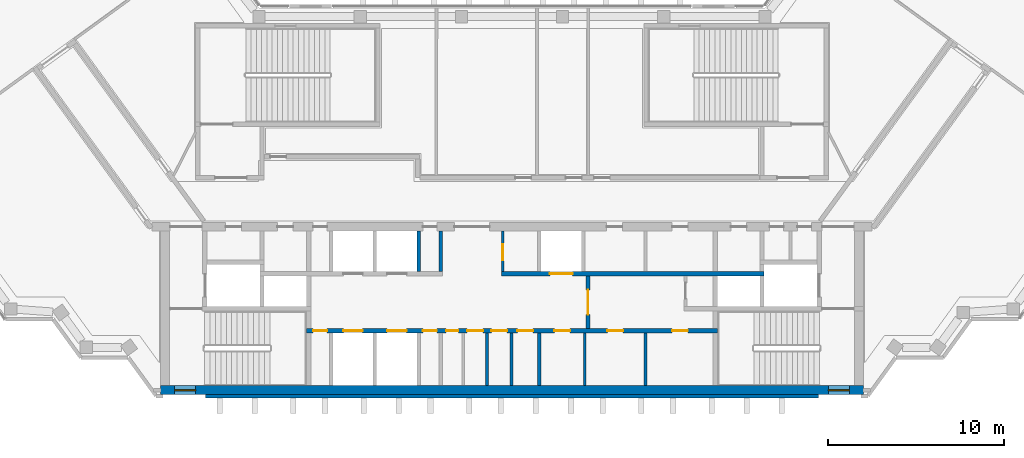
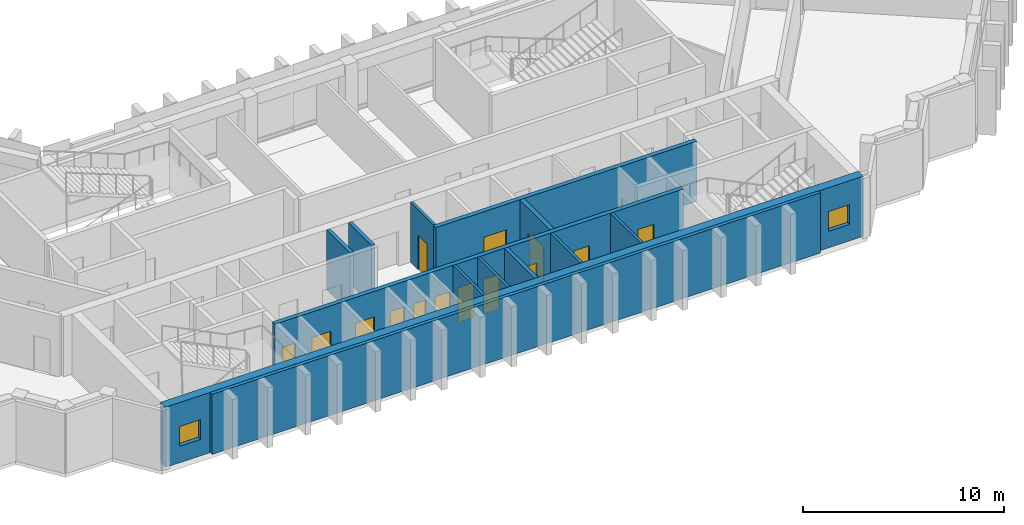
# One storey, part 6 of 10: 14 doors, 13 walls, 2 windows, 16 openings.
"""IFC4 building model written with IfcOpenShell, lengths in metres."""

import ifcopenshell
import ifcopenshell.guid

model = None  # the IFC model being written
_history = None  # IfcOwnerHistory: only IFC2X3 demands one
_inside = {}  # id of a spatial element -> (the spatial element, [elements in it])
_under = {}  # id of a project, library or spatial element -> (it, [spatial elements below it])
_declared = {}  # id of a project -> (the project, [libraries it declares])
_typed = {}  # id of a type object -> (the type object, [elements of that type])
_made_of = {}  # id of a material, layer set ... -> (it, [elements and type objects made of it])


def new_model(schema):
    """Start an empty IFC model of exactly this schema.

    Asked for "IFC4X3", IfcOpenShell would pick the latest addendum, in which some entities
    have other attributes; the version numbers below select the first issue.
    IFC2X3 requires an IfcOwnerHistory on every rooted entity: one is made here for all.
    """
    global model, _history
    if schema == "IFC4X3":
        model = ifcopenshell.file(schema_version=(4, 3, 0, 0))
    else:
        model = ifcopenshell.file(schema=schema)
    _inside.clear()
    _under.clear()
    _declared.clear()
    _typed.clear()
    _made_of.clear()
    _history = None
    if model.schema == "IFC2X3":
        org = make("IfcOrganization", Name="unknown")
        user = make(
            "IfcPersonAndOrganization",
            ThePerson=make("IfcPerson", FamilyName="unknown"),
            TheOrganization=org,
        )
        app = make(
            "IfcApplication",
            ApplicationDeveloper=org,
            Version="unknown",
            ApplicationFullName="unknown",
            ApplicationIdentifier="unknown",
        )
        _history = make(
            "IfcOwnerHistory",
            OwningUser=user,
            OwningApplication=app,
            ChangeAction="ADDED",
            CreationDate=0,
        )
    return model


def make(cls, **values):
    """One entity of the class cls with the attributes given. An attribute that is None is left unset."""
    return model.create_entity(
        cls, **{name: value for name, value in values.items() if value is not None}
    )


def rooted(cls, **values):
    """An entity with a GlobalId (a new one), such as an element, a storey or a relation."""
    return make(cls, GlobalId=ifcopenshell.guid.new(), OwnerHistory=_history, **values)


def si_unit(unit_type, name, prefix=None):
    """IfcSIUnit, for example si_unit("LENGTHUNIT", "METRE", prefix="MILLI")."""
    return make("IfcSIUnit", UnitType=unit_type, Prefix=prefix, Name=name)


def assignment(units):
    """IfcUnitAssignment: the units of a project."""
    return None if units is None else make("IfcUnitAssignment", Units=units)


def point(xyz):
    """IfcCartesianPoint."""
    return None if xyz is None else make("IfcCartesianPoint", Coordinates=xyz)


def direction(xyz):
    """IfcDirection."""
    return None if xyz is None else make("IfcDirection", DirectionRatios=xyz)


def frame(location, z_axis=None, x_axis=None):
    """IfcAxis2Placement3D, a coordinate frame: its origin and axes. An axis left out is left unset."""
    return make(
        "IfcAxis2Placement3D",
        Location=point(location),
        Axis=direction(z_axis),
        RefDirection=direction(x_axis),
    )


def frame_2d(location, x_axis=None):
    """IfcAxis2Placement2D, a coordinate frame in the plane: its origin and x axis."""
    return make(
        "IfcAxis2Placement2D", Location=point(location), RefDirection=direction(x_axis)
    )


def origin():
    """The frame at (0, 0, 0) with its axes left unset."""
    return frame((0.0, 0.0, 0.0))


def place(relative_to, where):
    """IfcLocalPlacement: puts the frame where relative to a parent placement (None: the world)."""
    return make(
        "IfcLocalPlacement", PlacementRelTo=relative_to, RelativePlacement=where
    )


def context(
    kind, dimensions, precision=None, world=None, true_north=None, identifier=None
):
    """IfcGeometricRepresentationContext, for example the 3D "Model" context."""
    return make(
        "IfcGeometricRepresentationContext",
        ContextIdentifier=identifier,
        ContextType=kind,
        CoordinateSpaceDimension=dimensions,
        Precision=precision,
        WorldCoordinateSystem=world,
        TrueNorth=true_north,
    )


def subcontext(parent, identifier, kind, view, scale=None):
    """IfcGeometricRepresentationSubContext, for example "Body" below "Model"."""
    return make(
        "IfcGeometricRepresentationSubContext",
        ContextIdentifier=identifier,
        ContextType=kind,
        ParentContext=parent,
        TargetScale=scale,
        TargetView=view,
    )


def project(units=None, contexts=None):
    """IfcProject with its units and contexts."""
    return rooted(
        "IfcProject",
        Name="project",
        RepresentationContexts=contexts,
        UnitsInContext=assignment(units),
    )


def spatial(cls, under=None, at=None, **own):
    """A site, building, storey or space (cls), placed at a placement, below another one or the project."""
    s = rooted(cls, ObjectPlacement=at, **own)
    if under is not None:
        _under.setdefault(under.id(), (under, []))[1].append(s)
    return s


def profile(cls, at=None, kind="AREA", **sizes):
    """A parametric profile (cls). Its sizes go by their IFC names, for example OverallWidth=200.0."""
    return make(cls, ProfileType=kind, Position=at, **sizes)


def rectangle(**sizes):
    """IfcRectangleProfileDef."""
    return profile("IfcRectangleProfileDef", **sizes)


def extrude(swept, where, along, depth):
    """IfcExtrudedAreaSolid: the profile swept, set in the frame where, extruded along a direction by depth."""
    return make(
        "IfcExtrudedAreaSolid",
        SweptArea=swept,
        Position=where,
        ExtrudedDirection=direction(along),
        Depth=depth,
    )


def shape(context_of_items, identifier, shape_type, items):
    """IfcShapeRepresentation: the items that make up one representation, for example the "Body"."""
    return make(
        "IfcShapeRepresentation",
        ContextOfItems=context_of_items,
        RepresentationIdentifier=identifier,
        RepresentationType=shape_type,
        Items=items,
    )


def material(Name=None, Category=None):
    """IfcMaterial."""
    return make("IfcMaterial", Name=Name, Category=Category)


def layer(
    of_material, thickness, ventilated=None, Name=None, Category=None, Priority=None
):
    """IfcMaterialLayer: one layer of a wall or slab, of a material (None: an air gap)."""
    return make(
        "IfcMaterialLayer",
        Material=of_material,
        LayerThickness=thickness,
        IsVentilated=ventilated,
        Name=Name,
        Category=Category,
        Priority=Priority,
    )


def layer_set(layers, Name=None):
    """IfcMaterialLayerSet."""
    return make("IfcMaterialLayerSet", MaterialLayers=layers, LayerSetName=Name)


def made_of(thing, what):
    """Note that an element or type object is made of a material, layer set ...; save() writes the relation."""
    if what is not None:
        _made_of.setdefault(what.id(), (what, []))[1].append(thing)
    return thing


def type_object(cls, material=None, **own):
    """A type object (cls), such as IfcWallType, which elements share."""
    return made_of(rooted(cls, **own), material)


def element(
    cls,
    number,
    at=None,
    inside=None,
    cuts=None,
    type_object=None,
    material=None,
    context=None,
    identifier="Body",
    shape_type=None,
    held_by="IfcProductDefinitionShape",
    body=None,
    shapes=None,
    **own,
):
    """One element of the class cls, such as IfcWall. Its Tag is "e" and its number.

    at: its placement. inside: the storey or other place that contains it. cuts: it is an
    opening in that element (IfcRelVoidsElement). A single representation is given by context,
    identifier, shape_type and body (its items); several are given by shapes. held_by: the class
    of the entity that holds the representations. save() writes the other relations.
    """
    e = rooted(cls, Tag="e%d" % number, ObjectPlacement=at, **own)
    if body is not None:
        shapes = [shape(context, identifier, shape_type, body)]
    if shapes is not None:
        e.Representation = make(held_by, Representations=shapes)
    if inside is not None:
        _inside.setdefault(inside.id(), (inside, []))[1].append(e)
    if cuts is not None:
        rooted(
            "IfcRelVoidsElement", RelatingBuildingElement=cuts, RelatedOpeningElement=e
        )
    if type_object is not None:
        _typed.setdefault(type_object.id(), (type_object, []))[1].append(e)
    return made_of(e, material)


def fill(opening, filler):
    """IfcRelFillsElement: the door or window that sits in an opening."""
    return rooted(
        "IfcRelFillsElement",
        RelatingOpeningElement=opening,
        RelatedBuildingElement=filler,
    )


def aggregate(whole, parts):
    """IfcRelAggregates: a whole, such as a stair, and the parts it consists of."""
    return rooted("IfcRelAggregates", RelatingObject=whole, RelatedObjects=parts)


def save(model, path):
    """Write the relations noted so far, then the file.

    IfcRelAggregates (storeys below a building ...), IfcRelContainedInSpatialStructure (elements
    in a storey), IfcRelDefinesByType, IfcRelAssociatesMaterial and IfcRelDeclares: one each for
    every whole, place, type object, material and project.
    """
    for whole, parts in _under.values():
        aggregate(whole, parts)
    for where, things in _inside.values():
        rooted(
            "IfcRelContainedInSpatialStructure",
            RelatedElements=things,
            RelatingStructure=where,
        )
    for kind, things in _typed.values():
        rooted("IfcRelDefinesByType", RelatedObjects=things, RelatingType=kind)
    for what, things in _made_of.values():
        rooted("IfcRelAssociatesMaterial", RelatedObjects=things, RelatingMaterial=what)
    for by, libraries in _declared.values():
        rooted("IfcRelDeclares", RelatingContext=by, RelatedDefinitions=libraries)
    model.write(path)


model = new_model("IFC4")

# Units and contexts
model_context = context("Model", 3, precision=1e-05, world=origin(), true_north=direction((0.0, 1.0)))
body_context = subcontext(model_context, "Body", "Model", "MODEL_VIEW")
ifc_project = project(units=[si_unit("LENGTHUNIT", "METRE"), si_unit("AREAUNIT", "SQUARE_METRE"), si_unit("VOLUMEUNIT", "CUBIC_METRE"), si_unit("PLANEANGLEUNIT", "RADIAN"), si_unit("MASSUNIT", "GRAM", prefix="KILO")], contexts=[model_context])

# Site, building, storey
site_placement = place(None, origin())
site = spatial("IfcSite", under=ifc_project, at=site_placement, CompositionType="ELEMENT")
building_placement = place(site_placement, origin())
building = spatial("IfcBuilding", under=site, at=building_placement, Name="Quipu Civic Tower", CompositionType="ELEMENT")
storey_placement = place(building_placement, frame((0.0, 0.0, 253.0)))
storey = spatial("IfcBuildingStorey", under=building, at=storey_placement, Name="L59", CompositionType="ELEMENT", Elevation=253.0)

# Wall, openings, doors
ifc_material_1 = material(Name="Concrete C70/85", Category="concrete")
ifc_layer_1 = layer(ifc_material_1, 0.25)
ifc_layer_set_1 = layer_set([ifc_layer_1], Name="Concrete C70/85")
wall_type_1 = type_object("IfcWallType", Name="Core wall 250", PredefinedType="SHEAR", material=ifc_layer_set_1)
wall_1_placement = place(storey_placement, frame((11.699951171875, -7.375, 0.0), z_axis=(0.0, 0.0, 1.0), x_axis=(-1.0, 0.0, 0.0)))
wall_1 = element("IfcWall", 1, at=wall_1_placement, inside=storey, type_object=wall_type_1, Name="Core wall", PredefinedType="SHEAR", context=body_context, shape_type="SweptSolid", body=[
    extrude(rectangle(XDim=23.39990234375, YDim=0.25, at=frame_2d((11.699951171875, 0.0))), origin(), (0.0, 0.0, 1.0), 3.64990234375),
])
opening_1_placement = place(wall_1_placement, frame((22.22509765625, 0.0, 0.0)))
opening_1 = element("IfcOpeningElement", 2, at=opening_1_placement, cuts=wall_1, Name="Opening CD-01", PredefinedType="OPENING", context=body_context, shape_type="SweptSolid", body=[
    extrude(rectangle(XDim=0.800048828125, YDim=2.10009765625, at=frame_2d((0.39990234375, 1.050048828125))), frame((0.0, 0.135009765625, 0.0), z_axis=(0.0, -1.0, 0.0), x_axis=(1.0, 0.0, 0.0)), (0.0, 0.0, 1.0), 0.27001953125),
])
opening_2_placement = place(wall_1_placement, frame((20.199951171875, 0.0, 0.0)))
opening_2 = element("IfcOpeningElement", 3, at=opening_2_placement, cuts=wall_1, Name="Opening LD-HL1", PredefinedType="OPENING", context=body_context, shape_type="SweptSolid", body=[
    extrude(rectangle(XDim=1.10009765625, YDim=2.10009765625, at=frame_2d((0.550048828125, 1.050048828125))), frame((0.0, 0.135009765625, 0.0), z_axis=(0.0, -1.0, 0.0), x_axis=(1.0, 0.0, 0.0)), (0.0, 0.0, 1.0), 0.27001953125),
])
opening_3_placement = place(wall_1_placement, frame((17.699951171875, 0.0, 0.0)))
opening_3 = element("IfcOpeningElement", 4, at=opening_3_placement, cuts=wall_1, Name="Opening LD-HL2", PredefinedType="OPENING", context=body_context, shape_type="SweptSolid", body=[
    extrude(rectangle(XDim=1.10009765625, YDim=2.10009765625, at=frame_2d((0.550048828125, 1.050048828125))), frame((0.0, 0.135009765625, 0.0), z_axis=(0.0, -1.0, 0.0), x_axis=(1.0, 0.0, 0.0)), (0.0, 0.0, 1.0), 0.27001953125),
])
opening_4_placement = place(wall_1_placement, frame((15.97509765625, 0.0, 0.0)))
opening_4 = element("IfcOpeningElement", 5, at=opening_4_placement, cuts=wall_1, Name="Opening CD-02", PredefinedType="OPENING", context=body_context, shape_type="SweptSolid", body=[
    extrude(rectangle(XDim=0.800048828125, YDim=2.10009765625, at=frame_2d((0.39990234375, 1.050048828125))), frame((0.0, 0.135009765625, 0.0), z_axis=(0.0, -1.0, 0.0), x_axis=(1.0, 0.0, 0.0)), (0.0, 0.0, 1.0), 0.27001953125),
])
opening_5_placement = place(wall_1_placement, frame((14.75, 0.0, 0.0)))
opening_5 = element("IfcOpeningElement", 6, at=opening_5_placement, cuts=wall_1, Name="Opening CD-03", PredefinedType="OPENING", context=body_context, shape_type="SweptSolid", body=[
    extrude(rectangle(XDim=0.699951171875, YDim=2.10009765625, at=frame_2d((0.35009765625, 1.050048828125))), frame((0.0, 0.135009765625, 0.0), z_axis=(0.0, -1.0, 0.0), x_axis=(1.0, 0.0, 0.0)), (0.0, 0.0, 1.0), 0.27001953125),
])
opening_6_placement = place(wall_1_placement, frame((13.35009765625, 0.0, 0.0)))
opening_6 = element("IfcOpeningElement", 7, at=opening_6_placement, cuts=wall_1, Name="Opening CD-04", PredefinedType="OPENING", context=body_context, shape_type="SweptSolid", body=[
    extrude(rectangle(XDim=0.89990234375, YDim=2.10009765625, at=frame_2d((0.449951171875, 1.050048828125))), frame((0.0, 0.135009765625, 0.0), z_axis=(0.0, -1.0, 0.0), x_axis=(1.0, 0.0, 0.0)), (0.0, 0.0, 1.0), 0.27001953125),
])
opening_7_placement = place(wall_1_placement, frame((11.97509765625, 0.0, 0.0)))
opening_7 = element("IfcOpeningElement", 8, at=opening_7_placement, cuts=wall_1, Name="Opening CD-05", PredefinedType="OPENING", context=body_context, shape_type="SweptSolid", body=[
    extrude(rectangle(XDim=0.89990234375, YDim=2.10009765625, at=frame_2d((0.449951171875, 1.050048828125))), frame((0.0, 0.135009765625, 0.0), z_axis=(0.0, -1.0, 0.0), x_axis=(1.0, 0.0, 0.0)), (0.0, 0.0, 1.0), 0.27001953125),
])
opening_8_placement = place(wall_1_placement, frame((10.5, 0.0, 0.0)))
opening_8 = element("IfcOpeningElement", 9, at=opening_8_placement, cuts=wall_1, Name="Opening CD-06", PredefinedType="OPENING", context=body_context, shape_type="SweptSolid", body=[
    extrude(rectangle(XDim=0.89990234375, YDim=2.10009765625, at=frame_2d((0.449951171875, 1.050048828125))), frame((0.0, 0.135009765625, 0.0), z_axis=(0.0, -1.0, 0.0), x_axis=(1.0, 0.0, 0.0)), (0.0, 0.0, 1.0), 0.27001953125),
])
opening_9_placement = place(wall_1_placement, frame((8.387939453125, 0.0, 0.0)))
opening_9 = element("IfcOpeningElement", 10, at=opening_9_placement, cuts=wall_1, Name="Opening CD-07", PredefinedType="OPENING", context=body_context, shape_type="SweptSolid", body=[
    extrude(rectangle(XDim=0.89990234375, YDim=2.10009765625, at=frame_2d((0.449951171875, 1.050048828125))), frame((0.0, 0.135009765625, 0.0), z_axis=(0.0, -1.0, 0.0), x_axis=(1.0, 0.0, 0.0)), (0.0, 0.0, 1.0), 0.27001953125),
])
opening_10_placement = place(wall_1_placement, frame((5.375, 0.0, 0.0)))
opening_10 = element("IfcOpeningElement", 11, at=opening_10_placement, cuts=wall_1, Name="Opening CD-08", PredefinedType="OPENING", context=body_context, shape_type="SweptSolid", body=[
    extrude(rectangle(XDim=0.89990234375, YDim=2.10009765625, at=frame_2d((0.449951171875, 1.050048828125))), frame((0.0, 0.135009765625, 0.0), z_axis=(0.0, -1.0, 0.0), x_axis=(1.0, 0.0, 0.0)), (0.0, 0.0, 1.0), 0.27001953125),
])
opening_11_placement = place(wall_1_placement, frame((1.68798828125, 0.0, 0.0)))
opening_11 = element("IfcOpeningElement", 12, at=opening_11_placement, cuts=wall_1, Name="Opening CD-09", PredefinedType="OPENING", context=body_context, shape_type="SweptSolid", body=[
    extrude(rectangle(XDim=0.89990234375, YDim=2.10009765625, at=frame_2d((0.449951171875, 1.050048828125))), frame((0.0, 0.135009765625, 0.0), z_axis=(0.0, -1.0, 0.0), x_axis=(1.0, 0.0, 0.0)), (0.0, 0.0, 1.0), 0.27001953125),
])
ifc_material_2 = material(Name="Fire rated steel door", Category="steel")
door_type_1 = type_object("IfcDoorType", Name="Fire door FD60 700 x 2100", OperationType="NOTDEFINED", PredefinedType="DOOR", material=ifc_material_2)
door_1_placement = place(opening_5_placement, origin())
door_1 = element("IfcDoor", 13, at=door_1_placement, inside=storey, type_object=door_type_1, Name="Door", OperationType="SINGLE_SWING_RIGHT", OverallHeight=2.10009765625, OverallWidth=0.699951171875, PredefinedType="DOOR", context=body_context, shape_type="SweptSolid", body=[
    extrude(rectangle(XDim=0.699951171875, YDim=2.10009765625, at=frame_2d((0.35009765625, 1.050048828125))), frame((0.0, 0.02490234375, 0.0), z_axis=(0.0, -1.0, 0.0), x_axis=(1.0, 0.0, 0.0)), (0.0, 0.0, 1.0), 0.050048828125),
])
fill(opening_5, door_1)
ifc_material_3 = material(Name="Fire rated steel door", Category="steel")
door_type_2 = type_object("IfcDoorType", Name="Fire door FD60 800 x 2100", OperationType="NOTDEFINED", PredefinedType="DOOR", material=ifc_material_3)
door_2_placement = place(opening_1_placement, origin())
door_2 = element("IfcDoor", 14, at=door_2_placement, inside=storey, type_object=door_type_2, Name="Door", OperationType="SINGLE_SWING_RIGHT", OverallHeight=2.10009765625, OverallWidth=0.800048828125, PredefinedType="DOOR", context=body_context, shape_type="SweptSolid", body=[
    extrude(rectangle(XDim=0.800048828125, YDim=2.10009765625, at=frame_2d((0.39990234375, 1.050048828125))), frame((0.0, 0.02490234375, 0.0), z_axis=(0.0, -1.0, 0.0), x_axis=(1.0, 0.0, 0.0)), (0.0, 0.0, 1.0), 0.050048828125),
])
fill(opening_1, door_2)
door_3_placement = place(opening_4_placement, origin())
door_3 = element("IfcDoor", 15, at=door_3_placement, inside=storey, type_object=door_type_2, Name="Door", OperationType="SINGLE_SWING_RIGHT", OverallHeight=2.10009765625, OverallWidth=0.800048828125, PredefinedType="DOOR", context=body_context, shape_type="SweptSolid", body=[
    extrude(rectangle(XDim=0.800048828125, YDim=2.10009765625, at=frame_2d((0.39990234375, 1.050048828125))), frame((0.0, 0.02490234375, 0.0), z_axis=(0.0, -1.0, 0.0), x_axis=(1.0, 0.0, 0.0)), (0.0, 0.0, 1.0), 0.050048828125),
])
fill(opening_4, door_3)
ifc_material_4 = material(Name="Fire rated steel door", Category="steel")
door_type_3 = type_object("IfcDoorType", Name="Fire door FD60 900 x 2100", OperationType="NOTDEFINED", PredefinedType="DOOR", material=ifc_material_4)
door_4_placement = place(opening_6_placement, origin())
door_4 = element("IfcDoor", 16, at=door_4_placement, inside=storey, type_object=door_type_3, Name="WC door", OperationType="SINGLE_SWING_RIGHT", OverallHeight=2.10009765625, OverallWidth=0.89990234375, PredefinedType="DOOR", context=body_context, shape_type="SweptSolid", body=[
    extrude(rectangle(XDim=0.89990234375, YDim=2.10009765625, at=frame_2d((0.449951171875, 1.050048828125))), frame((0.0, 0.02490234375, 0.0), z_axis=(0.0, -1.0, 0.0), x_axis=(1.0, 0.0, 0.0)), (0.0, 0.0, 1.0), 0.050048828125),
])
fill(opening_6, door_4)
door_5_placement = place(opening_7_placement, origin())
door_5 = element("IfcDoor", 17, at=door_5_placement, inside=storey, type_object=door_type_3, Name="WC door", OperationType="SINGLE_SWING_RIGHT", OverallHeight=2.10009765625, OverallWidth=0.89990234375, PredefinedType="DOOR", context=body_context, shape_type="SweptSolid", body=[
    extrude(rectangle(XDim=0.89990234375, YDim=2.10009765625, at=frame_2d((0.449951171875, 1.050048828125))), frame((0.0, 0.02490234375, 0.0), z_axis=(0.0, -1.0, 0.0), x_axis=(1.0, 0.0, 0.0)), (0.0, 0.0, 1.0), 0.050048828125),
])
fill(opening_7, door_5)
door_6_placement = place(opening_8_placement, origin())
door_6 = element("IfcDoor", 18, at=door_6_placement, inside=storey, type_object=door_type_3, Name="WC door", OperationType="SINGLE_SWING_LEFT", OverallHeight=2.10009765625, OverallWidth=0.89990234375, PredefinedType="DOOR", context=body_context, shape_type="SweptSolid", body=[
    extrude(rectangle(XDim=0.89990234375, YDim=2.10009765625, at=frame_2d((0.449951171875, 1.050048828125))), frame((0.0, 0.02490234375, 0.0), z_axis=(0.0, -1.0, 0.0), x_axis=(1.0, 0.0, 0.0)), (0.0, 0.0, 1.0), 0.050048828125),
])
fill(opening_8, door_6)
door_7_placement = place(opening_9_placement, origin())
door_7 = element("IfcDoor", 19, at=door_7_placement, inside=storey, type_object=door_type_3, Name="Door", OperationType="SINGLE_SWING_LEFT", OverallHeight=2.10009765625, OverallWidth=0.89990234375, PredefinedType="DOOR", context=body_context, shape_type="SweptSolid", body=[
    extrude(rectangle(XDim=0.89990234375, YDim=2.10009765625, at=frame_2d((0.449951171875, 1.050048828125))), frame((0.0, 0.02490234375, 0.0), z_axis=(0.0, -1.0, 0.0), x_axis=(1.0, 0.0, 0.0)), (0.0, 0.0, 1.0), 0.050048828125),
])
fill(opening_9, door_7)
door_8_placement = place(opening_10_placement, origin())
door_8 = element("IfcDoor", 20, at=door_8_placement, inside=storey, type_object=door_type_3, Name="Door", OperationType="SINGLE_SWING_LEFT", OverallHeight=2.10009765625, OverallWidth=0.89990234375, PredefinedType="DOOR", context=body_context, shape_type="SweptSolid", body=[
    extrude(rectangle(XDim=0.89990234375, YDim=2.10009765625, at=frame_2d((0.449951171875, 1.050048828125))), frame((0.0, 0.02490234375, 0.0), z_axis=(0.0, -1.0, 0.0), x_axis=(1.0, 0.0, 0.0)), (0.0, 0.0, 1.0), 0.050048828125),
])
fill(opening_10, door_8)
door_9_placement = place(opening_11_placement, origin())
door_9 = element("IfcDoor", 21, at=door_9_placement, inside=storey, type_object=door_type_3, Name="Door", OperationType="SINGLE_SWING_LEFT", OverallHeight=2.10009765625, OverallWidth=0.89990234375, PredefinedType="DOOR", context=body_context, shape_type="SweptSolid", body=[
    extrude(rectangle(XDim=0.89990234375, YDim=2.10009765625, at=frame_2d((0.449951171875, 1.050048828125))), frame((0.0, 0.02490234375, 0.0), z_axis=(0.0, -1.0, 0.0), x_axis=(1.0, 0.0, 0.0)), (0.0, 0.0, 1.0), 0.050048828125),
])
fill(opening_11, door_9)
ifc_material_5 = material(Name="Stainless steel", Category="steel")
door_type_4 = type_object("IfcDoorType", Name="Lift landing door 1100 x 2100", OperationType="DOUBLE_DOOR_SLIDING", PredefinedType="DOOR", material=ifc_material_5)
door_10_placement = place(opening_2_placement, origin())
door_10 = element("IfcDoor", 22, at=door_10_placement, inside=storey, type_object=door_type_4, Name="Landing door HL1", OperationType="DOUBLE_DOOR_SLIDING", OverallHeight=2.10009765625, OverallWidth=1.10009765625, PredefinedType="DOOR", context=body_context, shape_type="SweptSolid", body=[
    extrude(rectangle(XDim=1.10009765625, YDim=2.10009765625, at=frame_2d((0.550048828125, 1.050048828125))), frame((0.0, 0.02490234375, 0.0), z_axis=(0.0, -1.0, 0.0), x_axis=(1.0, 0.0, 0.0)), (0.0, 0.0, 1.0), 0.050048828125),
])
fill(opening_2, door_10)
door_11_placement = place(opening_3_placement, origin())
door_11 = element("IfcDoor", 23, at=door_11_placement, inside=storey, type_object=door_type_4, Name="Landing door HL2", OperationType="DOUBLE_DOOR_SLIDING", OverallHeight=2.10009765625, OverallWidth=1.10009765625, PredefinedType="DOOR", context=body_context, shape_type="SweptSolid", body=[
    extrude(rectangle(XDim=1.10009765625, YDim=2.10009765625, at=frame_2d((0.550048828125, 1.050048828125))), frame((0.0, 0.02490234375, 0.0), z_axis=(0.0, -1.0, 0.0), x_axis=(1.0, 0.0, 0.0)), (0.0, 0.0, 1.0), 0.050048828125),
])
fill(opening_3, door_11)

# Wall, opening, door
wall_2_placement = place(storey_placement, frame((4.324951171875, -7.25, 0.0), z_axis=(0.0, 0.0, 1.0), x_axis=(0.0, 1.0, 0.0)))
wall_2 = element("IfcWall", 24, at=wall_2_placement, inside=storey, type_object=wall_type_1, Name="Core wall", PredefinedType="SHEAR", context=body_context, shape_type="SweptSolid", body=[
    extrude(rectangle(XDim=3.0, YDim=0.25, at=frame_2d((1.5, 0.0))), origin(), (0.0, 0.0, 1.0), 3.64990234375),
])
opening_12_placement = place(wall_2_placement, frame((0.800048828125, 0.0, 0.0)))
opening_12 = element("IfcOpeningElement", 25, at=opening_12_placement, cuts=wall_2, Name="Opening CD-12", PredefinedType="OPENING", context=body_context, shape_type="SweptSolid", body=[
    extrude(rectangle(XDim=1.39990234375, YDim=2.10009765625, at=frame_2d((0.699951171875, 1.050048828125))), frame((0.0, 0.135009765625, 0.0), z_axis=(0.0, -1.0, 0.0), x_axis=(1.0, 0.0, 0.0)), (0.0, 0.0, 1.0), 0.27001953125),
])
ifc_material_6 = material(Name="Fire rated steel door", Category="steel")
door_type_5 = type_object("IfcDoorType", Name="Fire door FD60 double 1400 x 2100", OperationType="NOTDEFINED", PredefinedType="DOOR", material=ifc_material_6)
door_12_placement = place(opening_12_placement, origin())
door_12 = element("IfcDoor", 26, at=door_12_placement, inside=storey, type_object=door_type_5, Name="Hall door", OperationType="DOUBLE_DOOR_SINGLE_SWING", OverallHeight=2.10009765625, OverallWidth=1.39990234375, PredefinedType="DOOR", context=body_context, shape_type="SweptSolid", body=[
    extrude(rectangle(XDim=1.39990234375, YDim=2.10009765625, at=frame_2d((0.699951171875, 1.050048828125))), frame((0.0, 0.02490234375, 0.0), z_axis=(0.0, -1.0, 0.0), x_axis=(1.0, 0.0, 0.0)), (0.0, 0.0, 1.0), 0.050048828125),
])
fill(opening_12, door_12)

wall_3_placement = place(storey_placement, frame((-0.60009765625, -4.125, 0.0), z_axis=(0.0, 0.0, 1.0), x_axis=(1.0, 0.0, 0.0)))
wall_3 = element("IfcWall", 27, at=wall_3_placement, inside=storey, type_object=wall_type_1, Name="Core wall", PredefinedType="SHEAR", context=body_context, shape_type="SweptSolid", body=[
    extrude(rectangle(XDim=14.9501953125, YDim=0.25, at=frame_2d((7.47509765625, 0.0))), origin(), (0.0, 0.0, 1.0), 3.64990234375),
])
opening_13_placement = place(wall_3_placement, frame((2.75, 0.0, 0.0)))
opening_13 = element("IfcOpeningElement", 28, at=opening_13_placement, cuts=wall_3, Name="Opening LD-FF3", PredefinedType="OPENING", context=body_context, shape_type="SweptSolid", body=[
    extrude(rectangle(XDim=1.300048828125, YDim=2.10009765625, at=frame_2d((0.64990234375, 1.050048828125))), frame((0.0, 0.135009765625, 0.0), z_axis=(0.0, -1.0, 0.0), x_axis=(1.0, 0.0, 0.0)), (0.0, 0.0, 1.0), 0.27001953125),
])
ifc_material_7 = material(Name="Stainless steel", Category="steel")
door_type_6 = type_object("IfcDoorType", Name="Lift landing door 1300 x 2100", OperationType="DOUBLE_DOOR_SLIDING", PredefinedType="DOOR", material=ifc_material_7)
door_13_placement = place(opening_13_placement, origin())
door_13 = element("IfcDoor", 29, at=door_13_placement, inside=storey, type_object=door_type_6, Name="Landing door FF3", OperationType="DOUBLE_DOOR_SLIDING", OverallHeight=2.10009765625, OverallWidth=1.300048828125, PredefinedType="DOOR", context=body_context, shape_type="SweptSolid", body=[
    extrude(rectangle(XDim=1.300048828125, YDim=2.10009765625, at=frame_2d((0.64990234375, 1.050048828125))), frame((0.0, 0.02490234375, 0.0), z_axis=(0.0, -1.0, 0.0), x_axis=(1.0, 0.0, 0.0)), (0.0, 0.0, 1.0), 0.050048828125),
])
fill(opening_13, door_13)

# Wall, openings, windows
ifc_material_8 = material(Name="Concrete C70/85", Category="concrete")
ifc_layer_2 = layer(ifc_material_8, 0.5)
ifc_layer_set_2 = layer_set([ifc_layer_2], Name="Concrete C70/85")
wall_type_2 = type_object("IfcWallType", Name="Core wall 500", PredefinedType="SHEAR", material=ifc_layer_set_2)
wall_4_placement = place(storey_placement, frame((-20.0, -10.75, 0.0), z_axis=(0.0, 0.0, 1.0), x_axis=(1.0, 0.0, 0.0)))
wall_4 = element("IfcWall", 30, at=wall_4_placement, inside=storey, type_object=wall_type_2, Name="Core wall", PredefinedType="SHEAR", context=body_context, shape_type="SweptSolid", body=[
    extrude(rectangle(XDim=40.0, YDim=0.5, at=frame_2d((20.0, 0.0))), origin(), (0.0, 0.0, 1.0), 3.64990234375),
])
opening_14_placement = place(wall_4_placement, frame((0.800048828125, 0.0, 1.0)))
opening_14 = element("IfcOpeningElement", 31, at=opening_14_placement, cuts=wall_4, Name="Opening SV-1", PredefinedType="OPENING", context=body_context, shape_type="SweptSolid", body=[
    extrude(rectangle(XDim=1.199951171875, YDim=1.199951171875, at=frame_2d((0.60009765625, 0.60009765625))), frame((0.0, 0.260009765625, 0.0), z_axis=(0.0, -1.0, 0.0), x_axis=(1.0, 0.0, 0.0)), (0.0, 0.0, 1.0), 0.52001953125),
])
opening_15_placement = place(wall_4_placement, frame((38.0, 0.0, 1.0)))
opening_15 = element("IfcOpeningElement", 32, at=opening_15_placement, cuts=wall_4, Name="Opening SV-2", PredefinedType="OPENING", context=body_context, shape_type="SweptSolid", body=[
    extrude(rectangle(XDim=1.199951171875, YDim=1.199951171875, at=frame_2d((0.60009765625, 0.60009765625))), frame((0.0, 0.260009765625, 0.0), z_axis=(0.0, -1.0, 0.0), x_axis=(1.0, 0.0, 0.0)), (0.0, 0.0, 1.0), 0.52001953125),
])
ifc_material_9 = material(Name="Aluminium louvre", Category="aluminium")
window_type = type_object("IfcWindowType", Name="Stair ventilation louvre 1200 x 1200", PartitioningType="SINGLE_PANEL", PredefinedType="WINDOW", material=ifc_material_9)
window_1_placement = place(opening_14_placement, origin())
window_1 = element("IfcWindow", 33, at=window_1_placement, inside=storey, type_object=window_type, Name="Stair ventilation opening", OverallHeight=1.199951171875, OverallWidth=1.199951171875, PartitioningType="SINGLE_PANEL", PredefinedType="WINDOW", context=body_context, shape_type="SweptSolid", body=[
    extrude(rectangle(XDim=1.199951171875, YDim=1.199951171875, at=frame_2d((0.60009765625, 0.60009765625))), frame((0.0, 0.030029296875, 0.0), z_axis=(0.0, -1.0, 0.0), x_axis=(1.0, 0.0, 0.0)), (0.0, 0.0, 1.0), 0.06005859375),
])
fill(opening_14, window_1)
window_2_placement = place(opening_15_placement, origin())
window_2 = element("IfcWindow", 34, at=window_2_placement, inside=storey, type_object=window_type, Name="Stair ventilation opening", OverallHeight=1.199951171875, OverallWidth=1.199951171875, PartitioningType="SINGLE_PANEL", PredefinedType="WINDOW", context=body_context, shape_type="SweptSolid", body=[
    extrude(rectangle(XDim=1.199951171875, YDim=1.199951171875, at=frame_2d((0.60009765625, 0.60009765625))), frame((0.0, 0.030029296875, 0.0), z_axis=(0.0, -1.0, 0.0), x_axis=(1.0, 0.0, 0.0)), (0.0, 0.0, 1.0), 0.06005859375),
])
fill(opening_15, window_2)

# Walls
ifc_material_10 = material(Name="Gypsum board partition")
ifc_layer_3 = layer(ifc_material_10, 0.14990234375)
ifc_layer_set_3 = layer_set([ifc_layer_3], Name="Gypsum board partition")
wall_type_3 = type_object("IfcWallType", Name="Partition 150", PredefinedType="PARTITIONING", material=ifc_layer_set_3)
for number, where, z_axis, x_axis, name in (
    (35, (-1.425048828125, -10.5, 0.0), (0.0, 0.0, 1.0), (0.0, 1.0, 0.0), "Partition"),
    (36, (-0.02490234375, -10.5, 0.0), (0.0, 0.0, 1.0), (0.0, 1.0, 0.0), "Partition"),
    (37, (4.14990234375, -10.5, 0.0), (0.0, 0.0, 1.0), (0.0, 1.0, 0.0), "Partition"),
    (38, (7.60009765625, -10.5, 0.0), (0.0, 0.0, 1.0), (0.0, 1.0, 0.0), "Partition"),
):
    element("IfcWall", number, at=place(storey_placement, frame(where, z_axis=z_axis, x_axis=x_axis)), inside=storey, type_object=wall_type_3, Name=name, PredefinedType="PARTITIONING", context=body_context, shape_type="SweptSolid", body=[
        extrude(rectangle(XDim=3.0, YDim=0.14990234375, at=frame_2d((1.5, 0.0))), origin(), (0.0, 0.0, 1.0), 3.64990234375),
    ])

# Wall, opening, door
wall_5_placement = place(storey_placement, frame((-0.52490234375, -4.0, 0.0), z_axis=(0.0, 0.0, 1.0), x_axis=(0.0, 1.0, 0.0)))
wall_5 = element("IfcWall", 39, at=wall_5_placement, inside=storey, type_object=wall_type_3, Name="Partition", PredefinedType="PARTITIONING", context=body_context, shape_type="SweptSolid", body=[
    extrude(rectangle(XDim=2.300048828125, YDim=0.14990234375, at=frame_2d((1.14990234375, 0.0))), origin(), (0.0, 0.0, 1.0), 3.64990234375),
])
opening_16_placement = place(wall_5_placement, frame((0.64990234375, 0.0, 0.0)))
opening_16 = element("IfcOpeningElement", 40, at=opening_16_placement, cuts=wall_5, Name="Opening CD-14", PredefinedType="OPENING", context=body_context, shape_type="SweptSolid", body=[
    extrude(rectangle(XDim=0.89990234375, YDim=2.10009765625, at=frame_2d((0.449951171875, 1.050048828125))), frame((0.0, 0.0849609375, 0.0), z_axis=(0.0, -1.0, 0.0), x_axis=(1.0, 0.0, 0.0)), (0.0, 0.0, 1.0), 0.169921875),
])
door_14_placement = place(opening_16_placement, origin())
door_14 = element("IfcDoor", 41, at=door_14_placement, inside=storey, type_object=door_type_3, Name="WC door", OperationType="SINGLE_SWING_LEFT", OverallHeight=2.10009765625, OverallWidth=0.89990234375, PredefinedType="DOOR", context=body_context, shape_type="SweptSolid", body=[
    extrude(rectangle(XDim=0.89990234375, YDim=2.10009765625, at=frame_2d((0.449951171875, 1.050048828125))), frame((0.0, 0.02490234375, 0.0), z_axis=(0.0, -1.0, 0.0), x_axis=(1.0, 0.0, 0.0)), (0.0, 0.0, 1.0), 0.050048828125),
])
fill(opening_16, door_14)

# Walls
ifc_material_11 = material(Name="Precast concrete C40/50", Category="concrete")
wall_type_4 = type_object("IfcWallType", Name="Precast cladding wall", PredefinedType="SOLIDWALL", material=ifc_material_11)
wall_6_placement = place(storey_placement, frame((-17.44384765625, -11.087890625, 0.0), z_axis=(0.0, 0.0, 1.0), x_axis=(1.0, 0.0, 0.0)))
element("IfcWall", 42, at=wall_6_placement, inside=storey, type_object=wall_type_4, Name="Precast cladding wall L59 7", PredefinedType="SOLIDWALL", context=body_context, shape_type="SweptSolid", body=[
    extrude(rectangle(XDim=34.8876953125, YDim=0.199951171875, at=frame_2d((17.44384765625, 0.0))), origin(), (0.0, 0.0, 1.0), 3.64990234375),
])
ifc_material_12 = material(Name="Concrete C40/50", Category="concrete")
ifc_layer_4 = layer(ifc_material_12, 0.199951171875)
ifc_layer_set_4 = layer_set([ifc_layer_4], Name="Concrete C40/50")
wall_type_5 = type_object("IfcWallType", Name="Shaft wall 200", PredefinedType="SOLIDWALL", material=ifc_layer_set_4)
wall_7_placement = place(storey_placement, frame((1.550048828125, -10.5, 0.0), z_axis=(0.0, 0.0, 1.0), x_axis=(0.0, 1.0, 0.0)))
element("IfcWall", 43, at=wall_7_placement, inside=storey, type_object=wall_type_5, Name="Shaft wall", PredefinedType="SOLIDWALL", context=body_context, shape_type="SweptSolid", body=[
    extrude(rectangle(XDim=3.0, YDim=0.199951171875, at=frame_2d((1.5, 0.0))), origin(), (0.0, 0.0, 1.0), 3.64990234375),
])
for number, where, z_axis, x_axis, name in (
    (44, (-5.300048828125, -4.0, 0.0), (0.0, 0.0, 1.0), (0.0, 1.0, 0.0), "Shaft wall"),
    (45, (-4.050048828125, -4.0, 0.0), (0.0, 0.0, 1.0), (0.0, 1.0, 0.0), "Shaft wall"),
):
    element("IfcWall", number, at=place(storey_placement, frame(where, z_axis=z_axis, x_axis=x_axis)), inside=storey, type_object=wall_type_5, Name=name, PredefinedType="SOLIDWALL", context=body_context, shape_type="SweptSolid", body=[
        extrude(rectangle(XDim=2.300048828125, YDim=0.199951171875, at=frame_2d((1.14990234375, 0.0))), origin(), (0.0, 0.0, 1.0), 3.64990234375),
    ])

save(model, "model.ifc")
